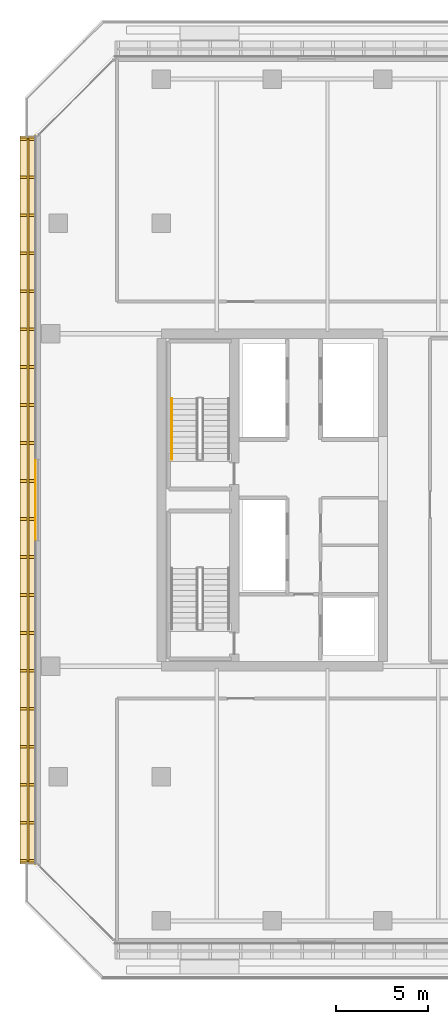
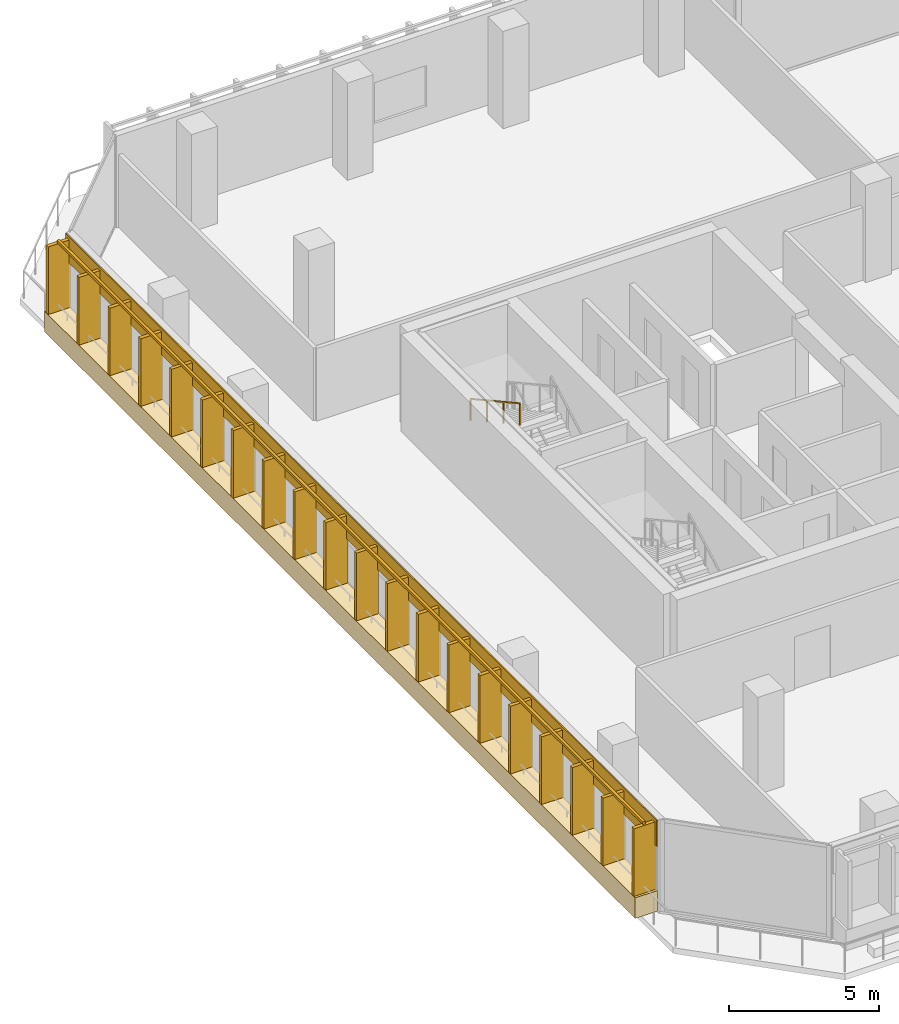
# One storey, part 34 of 38: 2 coverings, 2 railings.
"""IFC4 building model written with IfcOpenShell, lengths in metres."""

from ifc_helpers import new_model, si_unit, direction, frame, origin, origin_2d, place, context, subcontext, project, spatial, rectangle, extrude, material, layer, layer_set, type_object, element, save


model = new_model("IFC4")

# Units and contexts
model_context = context("Model", 3, precision=1e-05, world=origin(), true_north=direction((0.0, 1.0)))
body_context = subcontext(model_context, "Body", "Model", "MODEL_VIEW")
ifc_project = project(units=[si_unit("LENGTHUNIT", "METRE"), si_unit("AREAUNIT", "SQUARE_METRE"), si_unit("VOLUMEUNIT", "CUBIC_METRE"), si_unit("PLANEANGLEUNIT", "RADIAN"), si_unit("MASSUNIT", "GRAM", prefix="KILO")], contexts=[model_context])

# Site, building, storey
site_placement = place(None, origin())
site = spatial("IfcSite", under=ifc_project, at=site_placement, CompositionType="ELEMENT")
building_placement = place(site_placement, origin())
building = spatial("IfcBuilding", under=site, at=building_placement, Name="Tanjung Sevakor Pilgrim Tower", CompositionType="ELEMENT")
storey_placement = place(building_placement, frame((0.0, 0.0, 78.2099609375)))
storey = spatial("IfcBuildingStorey", under=building, at=storey_placement, Name="L21", CompositionType="ELEMENT", Elevation=78.2099609375)

# Coverings
ifc_material_1 = material(Name="Reconstructed Limestone Cladding", Category="masonry")
ifc_layer = layer(ifc_material_1, 0.044921875)
ifc_layer_set = layer_set([ifc_layer], Name="COV-CLAD-LIMESTONE")
covering_type = type_object("IfcCoveringType", Name="COV-CLAD-LIMESTONE", PredefinedType="CLADDING", material=ifc_layer_set)
covering_1_placement = place(storey_placement, frame((16.77001953125, 33.60009765625, 0.009765625), z_axis=(0.0, 0.0, 1.0), x_axis=(0.0, -1.0, 0.0)))
element("IfcCovering", 1, at=covering_1_placement, inside=storey, type_object=covering_type, Name="L21 Warm Limestone Sill Spandrel EW-L21-MAIN-15-1", PredefinedType="CLADDING", context=body_context, shape_type="SweptSolid", body=[
    extrude(rectangle(XDim=39.41650390625, YDim=0.860107421875, at=origin_2d()), origin(), (0.0, 0.0, 1.0), 0.840087890625),
])
covering_2_placement = place(storey_placement, frame((17.177490234375, 33.60009765625, 2.66015625), z_axis=(0.0, 0.0, 1.0), x_axis=(0.0, -1.0, 0.0)))
element("IfcCovering", 2, at=covering_2_placement, inside=storey, type_object=covering_type, Name="L21 Warm Limestone Cornice Spandrel EW-L21-MAIN-15", PredefinedType="CLADDING", context=body_context, shape_type="SweptSolid", body=[
    extrude(rectangle(XDim=39.456298828125, YDim=0.044921875, at=origin_2d()), origin(), (0.0, 0.0, 1.0), 1.070068359375),
])

# Railings
ifc_material_2 = material(Name="Anodised Bronze Aluminium 6063-T6", Category="aluminium")
railing_type_1 = type_object("IfcRailingType", Name="RL-FIN-SCREEN", PredefinedType="BALUSTRADE", material=ifc_material_2)
railing_1_placement = place(storey_placement, frame((16.77490234375, 53.148193359375, 0.840087890625)))
element("IfcRailing", 3, at=railing_1_placement, inside=storey, type_object=railing_type_1, Name="L21 Vertical Bronze-Gold Solar Fin Screen FNEND-EW-L21-MAIN-15-1", PredefinedType="BALUSTRADE", context=body_context, shape_type="SweptSolid", body=[
    extrude(rectangle(XDim=0.105, YDim=0.105), frame((0.0, 0.0, 2.817626953125), z_axis=(0.0, -1.0, 0.0), x_axis=(1.0, 0.0, 0.0)), (0.0, 0.0, 1.0), 39.096435546875),
    extrude(rectangle(XDim=0.85, YDim=0.14), origin(), (0.0, 0.0, 1.0), 2.76513671875),
    extrude(rectangle(XDim=0.85, YDim=0.14), frame((0.0, -2.0576171875, 0.0)), (0.0, 0.0, 1.0), 2.76513671875),
    extrude(rectangle(XDim=0.85, YDim=0.14), frame((0.0, -4.115478515625, 0.0)), (0.0, 0.0, 1.0), 2.76513671875),
    extrude(rectangle(XDim=0.85, YDim=0.14), frame((0.0, -6.173095703125, 0.0)), (0.0, 0.0, 1.0), 2.76513671875),
    extrude(rectangle(XDim=0.85, YDim=0.14), frame((0.0, -8.230712890625, 0.0)), (0.0, 0.0, 1.0), 2.76513671875),
    extrude(rectangle(XDim=0.85, YDim=0.14), frame((0.0, -10.28857421875, 0.0)), (0.0, 0.0, 1.0), 2.76513671875),
    extrude(rectangle(XDim=0.85, YDim=0.14), frame((0.0, -12.34619140625, 0.0)), (0.0, 0.0, 1.0), 2.76513671875),
    extrude(rectangle(XDim=0.85, YDim=0.14), frame((0.0, -14.404052734375, 0.0)), (0.0, 0.0, 1.0), 2.76513671875),
    extrude(rectangle(XDim=0.85, YDim=0.14), frame((0.0, -16.461669921875, 0.0)), (0.0, 0.0, 1.0), 2.76513671875),
    extrude(rectangle(XDim=0.85, YDim=0.14), frame((0.0, -18.519287109375, 0.0)), (0.0, 0.0, 1.0), 2.76513671875),
    extrude(rectangle(XDim=0.85, YDim=0.14), frame((0.0, -20.5771484375, 0.0)), (0.0, 0.0, 1.0), 2.76513671875),
    extrude(rectangle(XDim=0.85, YDim=0.14), frame((0.0, -22.634765625, 0.0)), (0.0, 0.0, 1.0), 2.76513671875),
    extrude(rectangle(XDim=0.85, YDim=0.14), frame((0.0, -24.6923828125, 0.0)), (0.0, 0.0, 1.0), 2.76513671875),
    extrude(rectangle(XDim=0.85, YDim=0.14), frame((0.0, -26.750244140625, 0.0)), (0.0, 0.0, 1.0), 2.76513671875),
    extrude(rectangle(XDim=0.85, YDim=0.14), frame((0.0, -28.807861328125, 0.0)), (0.0, 0.0, 1.0), 2.76513671875),
    extrude(rectangle(XDim=0.85, YDim=0.14), frame((0.0, -30.86572265625, 0.0)), (0.0, 0.0, 1.0), 2.76513671875),
    extrude(rectangle(XDim=0.85, YDim=0.14), frame((0.0, -32.92333984375, 0.0)), (0.0, 0.0, 1.0), 2.76513671875),
    extrude(rectangle(XDim=0.85, YDim=0.14), frame((0.0, -34.98095703125, 0.0)), (0.0, 0.0, 1.0), 2.76513671875),
    extrude(rectangle(XDim=0.85, YDim=0.14), frame((0.0, -37.038818359375, 0.0)), (0.0, 0.0, 1.0), 2.76513671875),
    extrude(rectangle(XDim=0.85, YDim=0.14), frame((0.0, -39.096435546875, 0.0)), (0.0, 0.0, 1.0), 2.76513671875),
])
ifc_material_3 = material(Name="Steel S355J2", Category="steel")
railing_type_2 = type_object("IfcRailingType", Name="RL-STAIR-HAND", PredefinedType="HANDRAIL", material=ifc_material_3)
railing_2_placement = place(storey_placement, frame((24.550048828125, 39.10009765625, 2.14501953125)))
element("IfcRailing", 4, at=railing_2_placement, inside=storey, type_object=railing_type_2, Name="L21 TS-W2 stair handrail 2", PredefinedType="HANDRAIL", context=body_context, shape_type="SweptSolid", body=[
    extrude(rectangle(XDim=0.0479, YDim=0.0479), frame((0.0, 0.0, 0.8759765625), z_axis=(0.0, -0.876225489012, 0.48190133057), x_axis=(1.0, 0.0, 0.0)), (0.0, 0.0, 1.0), 3.76611328125),
    extrude(rectangle(XDim=0.042, YDim=0.042), origin(), (0.0, 0.0, 1.0), 0.851806640625),
    extrude(rectangle(XDim=0.042, YDim=0.042), frame((0.0, -1.10009765625, 0.60498046875)), (0.0, 0.0, 1.0), 0.851806640625),
    extrude(rectangle(XDim=0.042, YDim=0.042), frame((0.0, -2.199951171875, 1.2099609375)), (0.0, 0.0, 1.0), 0.851806640625),
    extrude(rectangle(XDim=0.042, YDim=0.042), frame((0.0, -3.300048828125, 1.81494140625)), (0.0, 0.0, 1.0), 0.851806640625),
])

save(model, "model.ifc")
